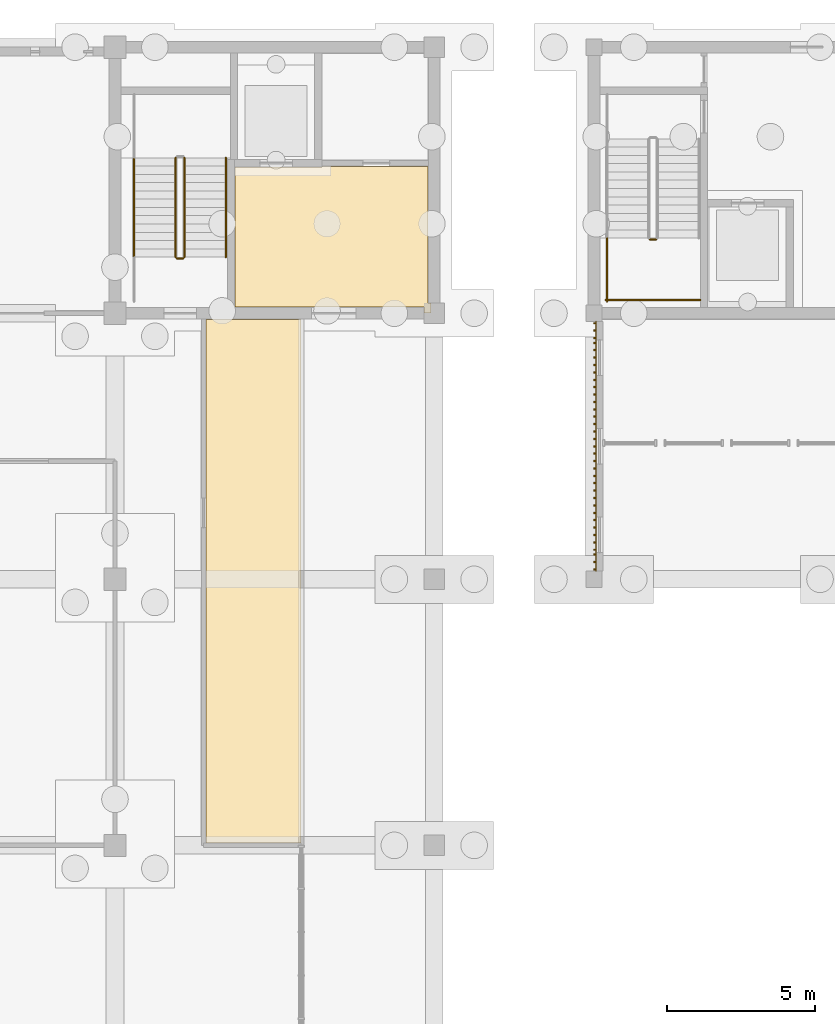
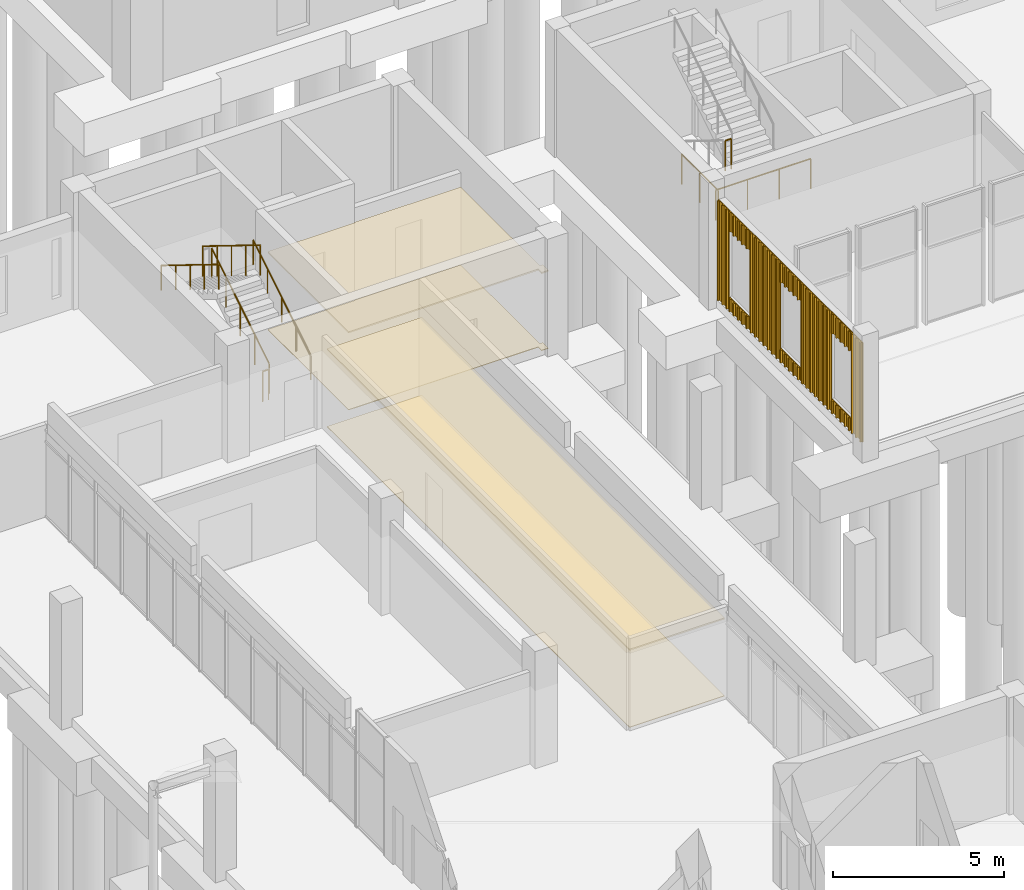
# One storey, part 94 of 106: 14 coverings, 8 railings.
"""IFC4 building model written with IfcOpenShell, lengths in metres."""

from ifc_helpers import new_model, si_unit, direction, frame, origin, origin_2d, place, context, subcontext, project, spatial, polyline, circle, outline, extrude, source, transform, mapped, material, layer, layer_set, type_object, element, save


model = new_model("IFC4")

# Units and contexts
model_context = context("Model", 3, precision=1e-05, world=origin(), true_north=direction((0.0, 1.0)))
body_context = subcontext(model_context, "Body", "Model", "MODEL_VIEW")
ifc_project = project(units=[si_unit("LENGTHUNIT", "METRE"), si_unit("AREAUNIT", "SQUARE_METRE"), si_unit("VOLUMEUNIT", "CUBIC_METRE"), si_unit("PLANEANGLEUNIT", "RADIAN"), si_unit("MASSUNIT", "GRAM", prefix="KILO")], contexts=[model_context])

# Site, building, storey
site_placement = place(None, origin())
site = spatial("IfcSite", under=ifc_project, at=site_placement, CompositionType="ELEMENT")
building_placement = place(site_placement, origin())
building = spatial("IfcBuilding", under=site, at=building_placement, Name="Merrow Basin Faculty of Sciences", CompositionType="ELEMENT")
storey_placement = place(building_placement, origin())
storey = spatial("IfcBuildingStorey", under=building, at=storey_placement, Name="L00", CompositionType="ELEMENT", Elevation=0.0)

# Coverings
ifc_material_1 = material(Name="Polished terrazzo floor")
ifc_layer_1 = layer(ifc_material_1, 0.02001953125)
ifc_layer_set_1 = layer_set([ifc_layer_1], Name="Polished terrazzo floor")
covering_type_1 = type_object("IfcCoveringType", Name="Polished terrazzo floor", PredefinedType="FLOORING", material=ifc_layer_set_1)
covering_1_placement = place(storey_placement, origin())
element("IfcCovering", 1, at=covering_1_placement, inside=storey, type_object=covering_type_1, Name="Floor finish L00-B-012", PredefinedType="FLOORING", context=body_context, shape_type="SweptSolid", body=[
    extrude(outline(polyline([(21.389892578125, 128.965087890625), (21.389892578125, 124.340087890625), (21.489990234375, 124.340087890625), (21.489990234375, 124.010009765625), (21.260009765625, 124.010009765625), (21.260009765625, 124.2099609375), (14.860107421875, 124.2099609375), (14.860107421875, 128.93994140625), (17.81005859375, 128.93994140625), (17.81005859375, 128.965087890625), (21.389892578125, 128.965087890625)])), origin(), (0.0, 0.0, 1.0), 0.02001953125),
])
ifc_material_2 = material(Name="Sealed concrete floor", Category="concrete")
ifc_layer_2 = layer(ifc_material_2, 0.02001953125)
ifc_layer_set_2 = layer_set([ifc_layer_2], Name="Sealed concrete floor")
covering_type_2 = type_object("IfcCoveringType", Name="Sealed concrete floor", PredefinedType="FLOORING", material=ifc_layer_set_2)
covering_2_placement = place(storey_placement, origin())
element("IfcCovering", 2, at=covering_2_placement, inside=storey, type_object=covering_type_2, Name="Floor finish L00-B-023", PredefinedType="FLOORING", context=body_context, shape_type="SweptSolid", body=[
    extrude(outline(polyline([(17.090087890625, 106.0849609375), (13.885009765625, 106.0849609375), (13.885009765625, 123.7900390625), (17.090087890625, 123.7900390625), (17.090087890625, 106.0849609375)])), origin(), (0.0, 0.0, 1.0), 0.02001953125),
])

# Railings
ifc_material_3 = material(Name="Steel ASTM A36", Category="steel")
railing_type_1 = type_object("IfcRailingType", Name="Steel guard 1100", PredefinedType="GUARDRAIL", material=ifc_material_3)
railing_1_placement = place(storey_placement, frame((13.14990234375, 125.89990234375, 0.173095703125)))
element("IfcRailing", 3, at=railing_1_placement, inside=storey, type_object=railing_type_1, Name="L00 ST-V4-N stair guard 1", PredefinedType="GUARDRAIL", context=body_context, shape_type="SweptSolid", body=[
    extrude(circle(Radius=0.02392578125, at=origin_2d()), frame((0.0, 0.0, 1.076171875), z_axis=(0.0, 0.850623216509, 0.525775754039), x_axis=(-1.0, 0.0, 0.0)), (0.0, 0.0, 1.0), 3.9501953125),
    extrude(circle(Radius=0.02099609375, at=origin_2d()), origin(), (0.0, 0.0, 1.0), 1.052001953125),
    extrude(circle(Radius=0.02099609375, at=origin_2d()), frame((0.0, 0.840087890625, 0.519287109375)), (0.0, 0.0, 1.0), 1.052001953125),
    extrude(circle(Radius=0.02099609375, at=origin_2d()), frame((0.0, 1.68017578125, 1.03857421875)), (0.0, 0.0, 1.0), 1.052001953125),
    extrude(circle(Radius=0.02099609375, at=origin_2d()), frame((0.0, 2.52001953125, 1.5576171875)), (0.0, 0.0, 1.0), 1.052001953125),
    extrude(circle(Radius=0.02099609375, at=origin_2d()), frame((0.0, 3.360107421875, 2.076904296875)), (0.0, 0.0, 1.0), 1.052001953125),
])
railing_2_placement = place(storey_placement, frame((12.85009765625, 129.260009765625, 2.423095703125)))
element("IfcRailing", 4, at=railing_2_placement, inside=storey, type_object=railing_type_1, Name="L00 ST-V4-N stair guard 4", PredefinedType="GUARDRAIL", context=body_context, shape_type="SweptSolid", body=[
    extrude(circle(Radius=0.02392578125, at=origin_2d()), frame((0.0, 0.0, 1.076171875), z_axis=(0.0, -0.850623216509, 0.525775754039), x_axis=(1.0, 0.0, 0.0)), (0.0, 0.0, 1.0), 3.9501953125),
    extrude(circle(Radius=0.02099609375, at=origin_2d()), origin(), (0.0, 0.0, 1.0), 1.052001953125),
    extrude(circle(Radius=0.02099609375, at=origin_2d()), frame((0.0, -0.840087890625, 0.519287109375)), (0.0, 0.0, 1.0), 1.052001953125),
    extrude(circle(Radius=0.02099609375, at=origin_2d()), frame((0.0, -1.68017578125, 1.03857421875)), (0.0, 0.0, 1.0), 1.052001953125),
    extrude(circle(Radius=0.02099609375, at=origin_2d()), frame((0.0, -2.52001953125, 1.5576171875)), (0.0, 0.0, 1.0), 1.052001953125),
    extrude(circle(Radius=0.02099609375, at=origin_2d()), frame((0.0, -3.360107421875, 2.076904296875)), (0.0, 0.0, 1.0), 1.052001953125),
])
railing_3_placement = place(storey_placement, frame((13.10009765625, 125.85009765625, 0.0)))
element("IfcRailing", 5, at=railing_3_placement, inside=storey, type_object=railing_type_1, Name="L00 ST-V4-N stair guard 5", PredefinedType="GUARDRAIL", context=body_context, shape_type="SweptSolid", body=[
    extrude(circle(Radius=0.02392578125, at=origin_2d()), frame((0.0, 0.0, 1.076171875), z_axis=(-1.0, 0.0, 0.0), x_axis=(0.0, -1.0, 0.0)), (0.0, 0.0, 1.0), 0.2001953125),
    extrude(circle(Radius=0.02099609375, at=origin_2d()), origin(), (0.0, 0.0, 1.0), 1.052001953125),
    extrude(circle(Radius=0.02099609375, at=origin_2d()), frame((-0.2001953125, 0.0, 0.0)), (0.0, 0.0, 1.0), 1.052001953125),
])
railing_4_placement = place(storey_placement, frame((28.89990234375, 126.489990234375, 2.25)))
element("IfcRailing", 6, at=railing_4_placement, inside=storey, type_object=railing_type_1, Name="L00 ST-V2-W stair guard 2", PredefinedType="GUARDRAIL", context=body_context, shape_type="SweptSolid", body=[
    extrude(circle(Radius=0.02392578125, at=origin_2d()), frame((0.0, 0.0, 1.076171875), z_axis=(1.0, 0.0, 0.0), x_axis=(0.0, 1.0, 0.0)), (0.0, 0.0, 1.0), 0.2001953125),
    extrude(circle(Radius=0.02099609375, at=origin_2d()), origin(), (0.0, 0.0, 1.0), 1.052001953125),
    extrude(circle(Radius=0.02099609375, at=origin_2d()), frame((0.2001953125, 0.0, 0.0)), (0.0, 0.0, 1.0), 1.052001953125),
])
railing_5_placement = place(storey_placement, frame((27.449951171875, 126.5400390625, 2.25)))
element("IfcRailing", 7, at=railing_5_placement, inside=storey, type_object=railing_type_1, Name="L00 ST-V2-W stair guard 3", PredefinedType="GUARDRAIL", context=body_context, shape_type="SweptSolid", body=[
    extrude(circle(Radius=0.02392578125, at=origin_2d()), frame((0.0, 0.0, 1.076171875), z_axis=(0.0, -1.0, 0.0), x_axis=(1.0, 0.0, 0.0)), (0.0, 0.0, 1.0), 2.14013671875),
    extrude(circle(Radius=0.02099609375, at=origin_2d()), origin(), (0.0, 0.0, 1.0), 1.052001953125),
    extrude(circle(Radius=0.02099609375, at=origin_2d()), frame((0.0, -1.070068359375, 0.0)), (0.0, 0.0, 1.0), 1.052001953125),
    extrude(circle(Radius=0.02099609375, at=origin_2d()), frame((0.0, -2.14013671875, 0.0)), (0.0, 0.0, 1.0), 1.052001953125),
])
railing_6_placement = place(storey_placement, frame((27.39990234375, 124.449951171875, 2.25)))
element("IfcRailing", 8, at=railing_6_placement, inside=storey, type_object=railing_type_1, Name="L00 ST-V2-W stair guard 4", PredefinedType="GUARDRAIL", context=body_context, shape_type="SweptSolid", body=[
    extrude(circle(Radius=0.02392578125, at=origin_2d()), frame((0.0, 0.0, 1.076171875), z_axis=(1.0, 0.0, 0.0), x_axis=(0.0, 1.0, 0.0)), (0.0, 0.0, 1.0), 3.2001953125),
    extrude(circle(Radius=0.02099609375, at=origin_2d()), origin(), (0.0, 0.0, 1.0), 1.052001953125),
    extrude(circle(Radius=0.02099609375, at=origin_2d()), frame((1.066650390625, 0.0, 0.0)), (0.0, 0.0, 1.0), 1.052001953125),
    extrude(circle(Radius=0.02099609375, at=origin_2d()), frame((2.133544921875, 0.0, 0.0)), (0.0, 0.0, 1.0), 1.052001953125),
    extrude(circle(Radius=0.02099609375, at=origin_2d()), frame((3.2001953125, 0.0, 0.0)), (0.0, 0.0, 1.0), 1.052001953125),
])
ifc_material_4 = material(Name="Steel ASTM A36", Category="steel")
railing_type_2 = type_object("IfcRailingType", Name="Steel handrail 900", PredefinedType="HANDRAIL", material=ifc_material_4)
railing_7_placement = place(storey_placement, frame((14.550048828125, 125.89990234375, 0.173095703125)))
element("IfcRailing", 9, at=railing_7_placement, inside=storey, type_object=railing_type_2, Name="L00 ST-V4-N stair handrail 1", PredefinedType="HANDRAIL", context=body_context, shape_type="SweptSolid", body=[
    extrude(circle(Radius=0.02392578125, at=origin_2d()), frame((0.0, 0.0, 0.8759765625), z_axis=(0.0, 0.850623216509, 0.525775754039), x_axis=(-1.0, 0.0, 0.0)), (0.0, 0.0, 1.0), 3.9501953125),
    extrude(circle(Radius=0.02099609375, at=origin_2d()), origin(), (0.0, 0.0, 1.0), 0.851806640625),
    extrude(circle(Radius=0.02099609375, at=origin_2d()), frame((0.0, 0.840087890625, 0.519287109375)), (0.0, 0.0, 1.0), 0.851806640625),
    extrude(circle(Radius=0.02099609375, at=origin_2d()), frame((0.0, 1.68017578125, 1.03857421875)), (0.0, 0.0, 1.0), 0.851806640625),
    extrude(circle(Radius=0.02099609375, at=origin_2d()), frame((0.0, 2.52001953125, 1.5576171875)), (0.0, 0.0, 1.0), 0.851806640625),
    extrude(circle(Radius=0.02099609375, at=origin_2d()), frame((0.0, 3.360107421875, 2.076904296875)), (0.0, 0.0, 1.0), 0.851806640625),
])
railing_8_placement = place(storey_placement, frame((11.449951171875, 129.260009765625, 2.423095703125)))
element("IfcRailing", 10, at=railing_8_placement, inside=storey, type_object=railing_type_2, Name="L00 ST-V4-N stair handrail 2", PredefinedType="HANDRAIL", context=body_context, shape_type="SweptSolid", body=[
    extrude(circle(Radius=0.02392578125, at=origin_2d()), frame((0.0, 0.0, 0.8759765625), z_axis=(0.0, -0.850623216509, 0.525775754039), x_axis=(1.0, 0.0, 0.0)), (0.0, 0.0, 1.0), 3.9501953125),
    extrude(circle(Radius=0.02099609375, at=origin_2d()), origin(), (0.0, 0.0, 1.0), 0.851806640625),
    extrude(circle(Radius=0.02099609375, at=origin_2d()), frame((0.0, -0.840087890625, 0.519287109375)), (0.0, 0.0, 1.0), 0.851806640625),
    extrude(circle(Radius=0.02099609375, at=origin_2d()), frame((0.0, -1.68017578125, 1.03857421875)), (0.0, 0.0, 1.0), 0.851806640625),
    extrude(circle(Radius=0.02099609375, at=origin_2d()), frame((0.0, -2.52001953125, 1.5576171875)), (0.0, 0.0, 1.0), 0.851806640625),
    extrude(circle(Radius=0.02099609375, at=origin_2d()), frame((0.0, -3.360107421875, 2.076904296875)), (0.0, 0.0, 1.0), 0.851806640625),
])

# Coverings
ifc_material_5 = material(Name="Mineral fibre ceiling tile")
ifc_layer_3 = layer(ifc_material_5, 0.050048828125)
ifc_layer_set_3 = layer_set([ifc_layer_3], Name="Suspended acoustic ceiling tile")
covering_type_3 = type_object("IfcCoveringType", Name="Suspended acoustic ceiling tile", PredefinedType="CEILING", material=ifc_layer_set_3)
covering_3_placement = place(storey_placement, frame((0.0, 0.0, 2.75)))
element("IfcCovering", 11, at=covering_3_placement, inside=storey, type_object=covering_type_3, Name="Ceiling L00-B-012", PredefinedType="CEILING", context=body_context, shape_type="SweptSolid", body=[
    extrude(outline(polyline([(21.389892578125, 128.965087890625), (21.389892578125, 124.340087890625), (21.489990234375, 124.340087890625), (21.489990234375, 124.010009765625), (21.260009765625, 124.010009765625), (21.260009765625, 124.2099609375), (14.860107421875, 124.2099609375), (14.860107421875, 128.93994140625), (17.81005859375, 128.93994140625), (17.81005859375, 128.965087890625), (21.389892578125, 128.965087890625)])), origin(), (0.0, 0.0, 1.0), 0.050048828125),
])
covering_4_placement = place(storey_placement, frame((0.0, 0.0, 2.75)))
element("IfcCovering", 12, at=covering_4_placement, inside=storey, type_object=covering_type_3, Name="Ceiling L00-B-023", PredefinedType="CEILING", context=body_context, shape_type="SweptSolid", body=[
    extrude(outline(polyline([(17.090087890625, 106.0849609375), (13.885009765625, 106.0849609375), (13.885009765625, 123.7900390625), (17.090087890625, 123.7900390625), (17.090087890625, 106.0849609375)])), origin(), (0.0, 0.0, 1.0), 0.050048828125),
])
ifc_material_6 = material(Name="Larch timber", Category="wood")
ifc_layer_4 = layer(ifc_material_6, 0.0849609375)
ifc_layer_set_4 = layer_set([ifc_layer_4], Name="Larch batten cladding 85")
covering_type_4 = type_object("IfcCoveringType", Name="Larch batten cladding 85", PredefinedType="CLADDING", material=ifc_layer_set_4)
shared_shape_1 = source(origin(), body_context, "Body", "SweptSolid", [
    extrude(outline(polyline([(0.0, 0.0), (0.625, 0.0), (0.625, 0.02490234375), (0.5869140625, 0.02490234375), (0.5869140625, 0.0849609375), (0.537109375, 0.0849609375), (0.537109375, 0.02490234375), (0.3369140625, 0.02490234375), (0.3369140625, 0.0849609375), (0.287109375, 0.0849609375), (0.287109375, 0.02490234375), (0.0869140625, 0.02490234375), (0.0869140625, 0.0849609375), (0.037109375, 0.0849609375), (0.037109375, 0.02490234375), (0.0, 0.02490234375), (0.0, 0.0)])), origin(), (0.0, 0.0, 1.0), 3.550048828125),
])
for number, where, z_axis, x_axis, name in (
    (13, (27.0849609375, 115.27490234375, 0.0), (0.0, 0.0, 1.0), (0.0, 1.0, 0.0), "Larch batten cladding"),
    (14, (27.0849609375, 123.10009765625, 0.0), (0.0, 0.0, 1.0), (0.0, 1.0, 0.0), "Larch batten cladding"),
):
    element("IfcCovering", number, at=place(storey_placement, frame(where, z_axis=z_axis, x_axis=x_axis)), inside=storey, type_object=covering_type_4, Name=name, PredefinedType="CLADDING", context=body_context, shape_type="MappedRepresentation", body=[
        mapped(shared_shape_1, transform((0.0, 0.0, 0.0), scale=1.0)),
    ])
shared_shape_2 = source(origin(), body_context, "Body", "SweptSolid", [
    extrude(outline(polyline([(0.0, 0.0), (1.199951171875, 0.0), (1.199951171875, 0.02490234375), (1.125, 0.02490234375), (1.125, 0.0849609375), (1.074951171875, 0.0849609375), (1.074951171875, 0.02490234375), (0.875, 0.02490234375), (0.875, 0.0849609375), (0.824951171875, 0.0849609375), (0.824951171875, 0.02490234375), (0.625, 0.02490234375), (0.625, 0.0849609375), (0.574951171875, 0.0849609375), (0.574951171875, 0.02490234375), (0.375, 0.02490234375), (0.375, 0.0849609375), (0.324951171875, 0.0849609375), (0.324951171875, 0.02490234375), (0.125, 0.02490234375), (0.125, 0.0849609375), (0.074951171875, 0.0849609375), (0.074951171875, 0.02490234375), (0.0, 0.02490234375), (0.0, 0.0)])), origin(), (0.0, 0.0, 1.0), 0.449951171875),
])
for number, where, z_axis, x_axis, name in (
    (15, (27.0849609375, 115.89990234375, 0.0), (0.0, 0.0, 1.0), (0.0, 1.0, 0.0), "Larch batten cladding"),
    (16, (27.0849609375, 118.89990234375, 0.0), (0.0, 0.0, 1.0), (0.0, 1.0, 0.0), "Larch batten cladding"),
    (17, (27.0849609375, 121.89990234375, 0.0), (0.0, 0.0, 1.0), (0.0, 1.0, 0.0), "Larch batten cladding"),
):
    element("IfcCovering", number, at=place(storey_placement, frame(where, z_axis=z_axis, x_axis=x_axis)), inside=storey, type_object=covering_type_4, Name=name, PredefinedType="CLADDING", context=body_context, shape_type="MappedRepresentation", body=[
        mapped(shared_shape_2, transform((0.0, 0.0, 0.0), scale=1.0)),
    ])
shared_shape_3 = source(origin(), body_context, "Body", "SweptSolid", [
    extrude(outline(polyline([(0.0, 0.0), (1.199951171875, 0.0), (1.199951171875, 0.02490234375), (1.125, 0.02490234375), (1.125, 0.0849609375), (1.074951171875, 0.0849609375), (1.074951171875, 0.02490234375), (0.875, 0.02490234375), (0.875, 0.0849609375), (0.824951171875, 0.0849609375), (0.824951171875, 0.02490234375), (0.625, 0.02490234375), (0.625, 0.0849609375), (0.574951171875, 0.0849609375), (0.574951171875, 0.02490234375), (0.375, 0.02490234375), (0.375, 0.0849609375), (0.324951171875, 0.0849609375), (0.324951171875, 0.02490234375), (0.125, 0.02490234375), (0.125, 0.0849609375), (0.074951171875, 0.0849609375), (0.074951171875, 0.02490234375), (0.0, 0.02490234375), (0.0, 0.0)])), origin(), (0.0, 0.0, 1.0), 0.699951171875),
])
for number, where, z_axis, x_axis, name in (
    (18, (27.0849609375, 115.89990234375, 2.85009765625), (0.0, 0.0, 1.0), (0.0, 1.0, 0.0), "Larch batten cladding"),
    (19, (27.0849609375, 118.89990234375, 2.85009765625), (0.0, 0.0, 1.0), (0.0, 1.0, 0.0), "Larch batten cladding"),
    (20, (27.0849609375, 121.89990234375, 2.85009765625), (0.0, 0.0, 1.0), (0.0, 1.0, 0.0), "Larch batten cladding"),
):
    element("IfcCovering", number, at=place(storey_placement, frame(where, z_axis=z_axis, x_axis=x_axis)), inside=storey, type_object=covering_type_4, Name=name, PredefinedType="CLADDING", context=body_context, shape_type="MappedRepresentation", body=[
        mapped(shared_shape_3, transform((0.0, 0.0, 0.0), scale=1.0)),
    ])
shared_shape_4 = source(origin(), body_context, "Body", "SweptSolid", [
    extrude(outline(polyline([(0.0, 0.0), (1.800048828125, 0.0), (1.800048828125, 0.02490234375), (1.675048828125, 0.02490234375), (1.675048828125, 0.0849609375), (1.625, 0.0849609375), (1.625, 0.02490234375), (1.425048828125, 0.02490234375), (1.425048828125, 0.0849609375), (1.375, 0.0849609375), (1.375, 0.02490234375), (1.175048828125, 0.02490234375), (1.175048828125, 0.0849609375), (1.125, 0.0849609375), (1.125, 0.02490234375), (0.925048828125, 0.02490234375), (0.925048828125, 0.0849609375), (0.875, 0.0849609375), (0.875, 0.02490234375), (0.675048828125, 0.02490234375), (0.675048828125, 0.0849609375), (0.625, 0.0849609375), (0.625, 0.02490234375), (0.425048828125, 0.02490234375), (0.425048828125, 0.0849609375), (0.375, 0.0849609375), (0.375, 0.02490234375), (0.175048828125, 0.02490234375), (0.175048828125, 0.0849609375), (0.125, 0.0849609375), (0.125, 0.02490234375), (0.0, 0.02490234375), (0.0, 0.0)])), origin(), (0.0, 0.0, 1.0), 3.550048828125),
])
for number, where, z_axis, x_axis, name in (
    (21, (27.0849609375, 117.10009765625, 0.0), (0.0, 0.0, 1.0), (0.0, 1.0, 0.0), "Larch batten cladding"),
    (22, (27.0849609375, 120.10009765625, 0.0), (0.0, 0.0, 1.0), (0.0, 1.0, 0.0), "Larch batten cladding"),
):
    element("IfcCovering", number, at=place(storey_placement, frame(where, z_axis=z_axis, x_axis=x_axis)), inside=storey, type_object=covering_type_4, Name=name, PredefinedType="CLADDING", context=body_context, shape_type="MappedRepresentation", body=[
        mapped(shared_shape_4, transform((0.0, 0.0, 0.0), scale=1.0)),
    ])

save(model, "model.ifc")
